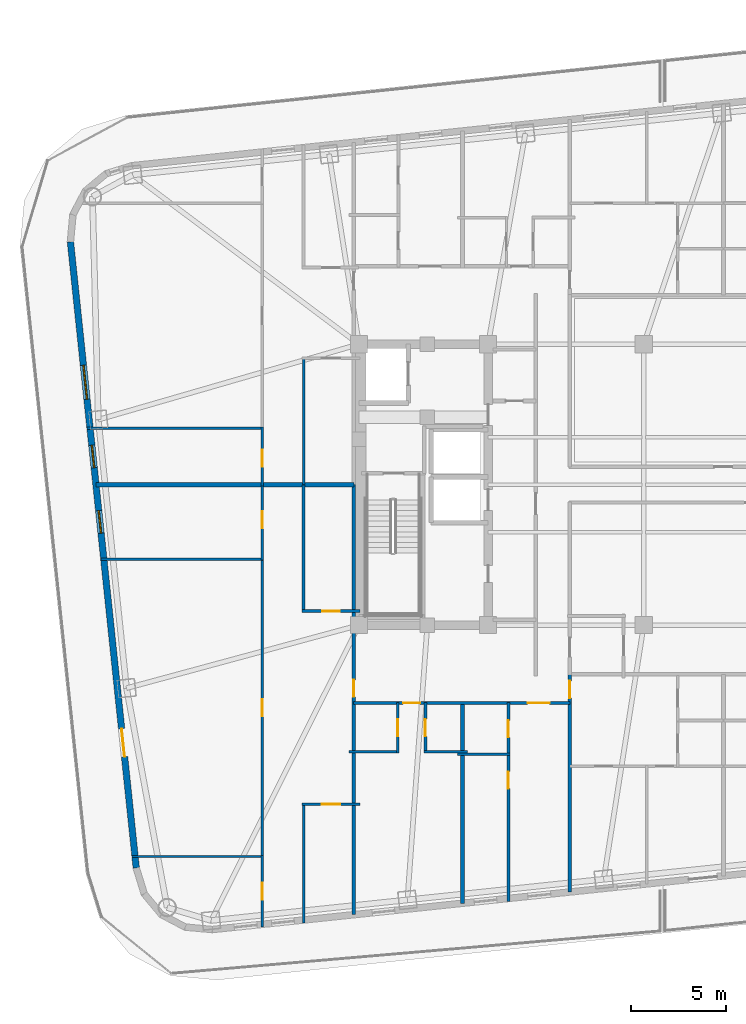
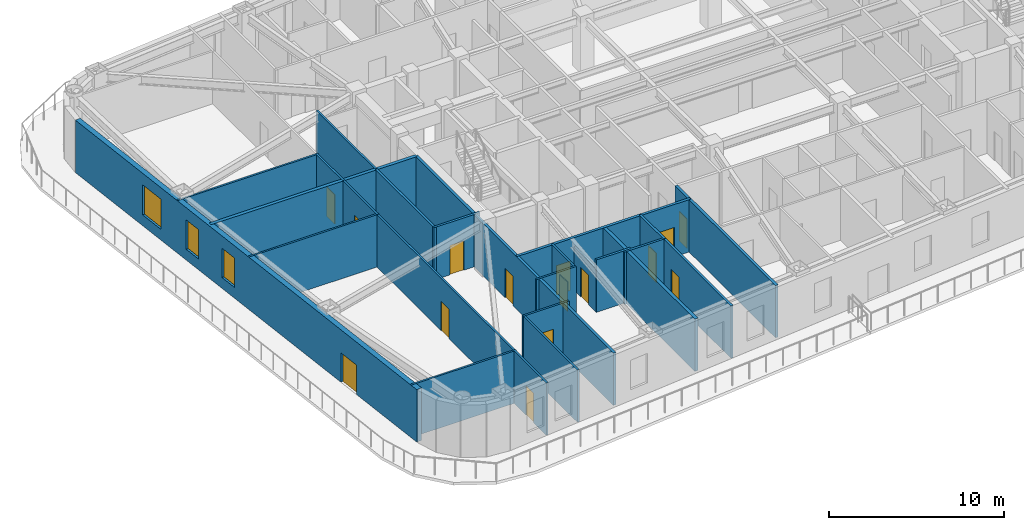
# One storey, part 3 of 15: 25 walls, 15 doors, 3 windows, 18 openings.
"""IFC4 building model written with IfcOpenShell, lengths in metres."""

from ifc_helpers import new_model, si_unit, direction, frame, frame_2d, origin, place, context, subcontext, project, spatial, rectangle, extrude, material, layer, layer_set, type_object, element, fill, save


model = new_model("IFC4")

# Units and contexts
model_context = context("Model", 3, precision=1e-05, world=origin(), true_north=direction((0.0, 1.0)))
body_context = subcontext(model_context, "Body", "Model", "MODEL_VIEW")
ifc_project = project(units=[si_unit("LENGTHUNIT", "METRE"), si_unit("AREAUNIT", "SQUARE_METRE"), si_unit("VOLUMEUNIT", "CUBIC_METRE"), si_unit("PLANEANGLEUNIT", "RADIAN"), si_unit("MASSUNIT", "GRAM", prefix="KILO")], contexts=[model_context])

# Site, building, storey
site_placement = place(None, origin())
site = spatial("IfcSite", under=ifc_project, at=site_placement, CompositionType="ELEMENT")
building_placement = place(site_placement, origin())
building = spatial("IfcBuilding", under=site, at=building_placement, Name="Voryun Gate Residences", CompositionType="ELEMENT")
storey_placement = place(building_placement, frame((0.0, 0.0, 171.60009765625)))
storey = spatial("IfcBuildingStorey", under=building, at=storey_placement, Name="L42", CompositionType="ELEMENT", Elevation=171.60009765625)

# Wall, openings, doors
ifc_material_1 = material(Name="Gypsum acoustic fireboard")
ifc_layer_1 = layer(ifc_material_1, 0.179931640625, Name="W_CORR_RATED_180")
ifc_layer_set_1 = layer_set([ifc_layer_1], Name="Gypsum acoustic fireboard")
wall_type_1 = type_object("IfcWallType", Name="W_CORR_RATED_180", PredefinedType="PARTITIONING", material=ifc_layer_set_1)
wall_1_placement = place(storey_placement, frame((-19.5, -11.5, 0.0), z_axis=(0.0, 0.0, 1.0), x_axis=(1.0, 0.0, 0.0)))
wall_1 = element("IfcWall", 1, at=wall_1_placement, inside=storey, type_object=wall_type_1, Name="Partition wall WP-L42-SCORR-W", PredefinedType="PARTITIONING", context=body_context, shape_type="SweptSolid", body=[
    extrude(rectangle(XDim=11.419921875, YDim=0.179931640625, at=frame_2d((5.7099609375, 0.0))), origin(), (0.0, 0.0, 1.0), 3.64990234375),
])
opening_1_placement = place(wall_1_placement, frame((2.623046875, 0.0, 0.0)))
opening_1 = element("IfcOpeningElement", 2, at=opening_1_placement, cuts=wall_1, Name="Opening D-INT-2", PredefinedType="OPENING", context=body_context, shape_type="SweptSolid", body=[
    extrude(rectangle(XDim=0.89990234375, YDim=2.050048828125, at=frame_2d((0.449951171875, 1.02490234375))), frame((0.0, 0.099853515625, 0.0), z_axis=(0.0, -1.0, 0.0), x_axis=(1.0, 0.0, 0.0)), (0.0, 0.0, 1.0), 0.199951171875),
])
opening_2_placement = place(wall_1_placement, frame((9.189208984375, 0.0, 0.0)))
opening_2 = element("IfcOpeningElement", 3, at=opening_2_placement, cuts=wall_1, Name="Opening D-UNIT-1", PredefinedType="OPENING", context=body_context, shape_type="SweptSolid", body=[
    extrude(rectangle(XDim=1.14990234375, YDim=2.050048828125, at=frame_2d((0.574951171875, 1.02490234375))), frame((0.0, 0.099853515625, 0.0), z_axis=(0.0, -1.0, 0.0), x_axis=(1.0, 0.0, 0.0)), (0.0, 0.0, 1.0), 0.199951171875),
])
ifc_material_2 = material(Name="Architectural oak veneer")
door_type_1 = type_object("IfcDoorType", Name="DR_INT_BATH_900", OperationType="NOTDEFINED", PredefinedType="DOOR", material=ifc_material_2)
door_1_placement = place(opening_1_placement, origin())
door_1 = element("IfcDoor", 4, at=door_1_placement, inside=storey, type_object=door_type_1, Name="Door DR-L42-SENT-1", OperationType="SINGLE_SWING_RIGHT", OverallHeight=2.050048828125, OverallWidth=0.89990234375, PredefinedType="DOOR", context=body_context, shape_type="SweptSolid", body=[
    extrude(rectangle(XDim=0.89990234375, YDim=2.050048828125, at=frame_2d((0.449951171875, 1.02490234375))), frame((0.0, 0.02490234375, 0.0), z_axis=(0.0, -1.0, 0.0), x_axis=(1.0, 0.0, 0.0)), (0.0, 0.0, 1.0), 0.050048828125),
])
fill(opening_1, door_1)
ifc_material_3 = material(Name="Armoured timber-clad fire door", Category="wood")
door_type_2 = type_object("IfcDoorType", Name="DR_UNIT_ENTRY_1150", OperationType="NOTDEFINED", PredefinedType="DOOR", material=ifc_material_3)
door_2_placement = place(opening_2_placement, origin())
door_2 = element("IfcDoor", 5, at=door_2_placement, inside=storey, type_object=door_type_2, Name="Door DR-L42-SENT-2", OperationType="SINGLE_SWING_LEFT", OverallHeight=2.050048828125, OverallWidth=1.14990234375, PredefinedType="DOOR", context=body_context, shape_type="SweptSolid", body=[
    extrude(rectangle(XDim=1.14990234375, YDim=2.050048828125, at=frame_2d((0.574951171875, 1.02490234375))), frame((0.0, 0.02490234375, 0.0), z_axis=(0.0, -1.0, 0.0), x_axis=(1.0, 0.0, 0.0)), (0.0, 0.0, 1.0), 0.050048828125),
])
fill(opening_2, door_2)

# Wall, opening, door
wall_2_placement = place(storey_placement, frame((-8.10009765625, -21.456298828125, 0.0), z_axis=(0.0, 0.0, 1.0), x_axis=(0.0, 1.0, 0.0)))
wall_2 = element("IfcWall", 6, at=wall_2_placement, inside=storey, type_object=wall_type_1, Name="Partition wall WP-L42-SZV-1", PredefinedType="PARTITIONING", context=body_context, shape_type="SweptSolid", body=[
    extrude(rectangle(XDim=11.46630859375, YDim=0.179931640625, at=frame_2d((5.733154296875, 0.0))), origin(), (0.0, 0.0, 1.0), 3.64990234375),
])
opening_3_placement = place(wall_2_placement, frame((10.216064453125, 0.0, 0.0)))
opening_3 = element("IfcOpeningElement", 7, at=opening_3_placement, cuts=wall_2, Name="Opening D-INT-2", PredefinedType="OPENING", context=body_context, shape_type="SweptSolid", body=[
    extrude(rectangle(XDim=0.89990234375, YDim=2.050048828125, at=frame_2d((0.449951171875, 1.02490234375))), frame((0.0, 0.099853515625, 0.0), z_axis=(0.0, -1.0, 0.0), x_axis=(1.0, 0.0, 0.0)), (0.0, 0.0, 1.0), 0.199951171875),
])
door_3_placement = place(opening_3_placement, origin())
door_3 = element("IfcDoor", 8, at=door_3_placement, inside=storey, type_object=door_type_1, Name="Door DR-L42-SZENT-1", OperationType="SINGLE_SWING_LEFT", OverallHeight=2.050048828125, OverallWidth=0.89990234375, PredefinedType="DOOR", context=body_context, shape_type="SweptSolid", body=[
    extrude(rectangle(XDim=0.89990234375, YDim=2.050048828125, at=frame_2d((0.449951171875, 1.02490234375))), frame((0.0, 0.02490234375, 0.0), z_axis=(0.0, -1.0, 0.0), x_axis=(1.0, 0.0, 0.0)), (0.0, 0.0, 1.0), 0.050048828125),
])
fill(opening_3, door_3)

wall_3_placement = place(storey_placement, frame((-19.469970703125, -22.651611328125, 0.0), z_axis=(0.0, 0.0, 1.0), x_axis=(0.0, 1.0, 0.0)))
wall_3 = element("IfcWall", 9, at=wall_3_placement, inside=storey, type_object=wall_type_1, Name="Partition wall WP-L42-WCOR1", PredefinedType="PARTITIONING", context=body_context, shape_type="SweptSolid", body=[
    extrude(rectangle(XDim=22.651611328125, YDim=0.179931640625, at=frame_2d((11.32568359375, 0.0))), origin(), (0.0, 0.0, 1.0), 3.64990234375),
])
opening_4_placement = place(wall_3_placement, frame((11.471435546875, 0.0, 0.0)))
opening_4 = element("IfcOpeningElement", 10, at=opening_4_placement, cuts=wall_3, Name="Opening D-INT-2", PredefinedType="OPENING", context=body_context, shape_type="SweptSolid", body=[
    extrude(rectangle(XDim=0.89990234375, YDim=2.050048828125, at=frame_2d((0.449951171875, 1.02490234375))), frame((0.0, 0.099853515625, 0.0), z_axis=(0.0, -1.0, 0.0), x_axis=(1.0, 0.0, 0.0)), (0.0, 0.0, 1.0), 0.199951171875),
])
door_4_placement = place(opening_4_placement, origin())
door_4 = element("IfcDoor", 11, at=door_4_placement, inside=storey, type_object=door_type_1, Name="Door DR-L42-WE1", OperationType="SINGLE_SWING_LEFT", OverallHeight=2.050048828125, OverallWidth=0.89990234375, PredefinedType="DOOR", context=body_context, shape_type="SweptSolid", body=[
    extrude(rectangle(XDim=0.89990234375, YDim=2.050048828125, at=frame_2d((0.449951171875, 1.02490234375))), frame((0.0, 0.02490234375, 0.0), z_axis=(0.0, -1.0, 0.0), x_axis=(1.0, 0.0, 0.0)), (0.0, 0.0, 1.0), 0.050048828125),
])
fill(opening_4, door_4)

# Wall, openings, door, windows
ifc_material_4 = material(Name="Charcoal terracotta masonry", Category="masonry")
ifc_layer_2 = layer(ifc_material_4, 0.340087890625, Name="W_EXT_TERRACOTTA_340")
ifc_layer_set_2 = layer_set([ifc_layer_2], Name="Charcoal terracotta masonry")
wall_type_2 = type_object("IfcWallType", Name="W_EXT_TERRACOTTA_340", PredefinedType="ELEMENTEDWALL", material=ifc_layer_set_2)
wall_4_placement = place(storey_placement, frame((-30.934326171875, -20.189697265625, 0.0), z_axis=(0.0, 0.0, 1.0), x_axis=(-0.10452691388, 0.994522058214, 0.0)))
wall_4 = element("IfcWall", 12, at=wall_4_placement, inside=storey, type_object=wall_type_2, Name="Exterior wall WEXT-L42-06", PredefinedType="ELEMENTEDWALL", context=body_context, shape_type="SweptSolid", body=[
    extrude(rectangle(XDim=33.16650390625, YDim=0.340087890625, at=frame_2d((16.583251953125, 0.0))), origin(), (0.0, 0.0, 1.0), 3.64990234375),
])
opening_5_placement = place(wall_4_placement, frame((5.883056640625, 0.0, 0.0)))
opening_5 = element("IfcOpeningElement", 13, at=opening_5_placement, cuts=wall_4, Name="Opening D-TER-1", PredefinedType="OPENING", context=body_context, shape_type="SweptSolid", body=[
    extrude(rectangle(XDim=1.5, YDim=2.050048828125, at=frame_2d((0.75, 1.02490234375))), frame((0.0, 0.179931640625, 0.0), z_axis=(0.0, -1.0, 0.0), x_axis=(1.0, 0.0, 0.0)), (0.0, 0.0, 1.0), 0.360107421875),
])
opening_6_placement = place(wall_4_placement, frame((24.824951171875, 0.0, 0.75)))
opening_6 = element("IfcOpeningElement", 14, at=opening_6_placement, cuts=wall_4, Name="Opening WN1", PredefinedType="OPENING", context=body_context, shape_type="SweptSolid", body=[
    extrude(rectangle(XDim=1.800048828125, YDim=2.10009765625, at=frame_2d((0.89990234375, 1.050048828125))), frame((0.0, 0.179931640625, 0.0), z_axis=(0.0, -1.0, 0.0), x_axis=(1.0, 0.0, 0.0)), (0.0, 0.0, 1.0), 0.360107421875),
])
opening_7_placement = place(wall_4_placement, frame((17.728759765625, 0.0, 0.75)))
opening_7 = element("IfcOpeningElement", 15, at=opening_7_placement, cuts=wall_4, Name="Opening WN6", PredefinedType="OPENING", context=body_context, shape_type="SweptSolid", body=[
    extrude(rectangle(XDim=1.199951171875, YDim=2.050048828125, at=frame_2d((0.60009765625, 1.02490234375))), frame((0.0, 0.179931640625, 0.0), z_axis=(0.0, -1.0, 0.0), x_axis=(1.0, 0.0, 0.0)), (0.0, 0.0, 1.0), 0.360107421875),
])
opening_8_placement = place(wall_4_placement, frame((21.1962890625, 0.0, 0.75)))
opening_8 = element("IfcOpeningElement", 16, at=opening_8_placement, cuts=wall_4, Name="Opening WN6", PredefinedType="OPENING", context=body_context, shape_type="SweptSolid", body=[
    extrude(rectangle(XDim=1.199951171875, YDim=2.050048828125, at=frame_2d((0.60009765625, 1.02490234375))), frame((0.0, 0.179931640625, 0.0), z_axis=(0.0, -1.0, 0.0), x_axis=(1.0, 0.0, 0.0)), (0.0, 0.0, 1.0), 0.360107421875),
])
ifc_material_5 = material(Name="Thermally broken aluminium and low-E glass", Category="aluminium")
door_type_3 = type_object("IfcDoorType", Name="DR_TERR_EXIT_1500", OperationType="NOTDEFINED", PredefinedType="DOOR", material=ifc_material_5)
door_5_placement = place(opening_5_placement, origin())
door_5 = element("IfcDoor", 17, at=door_5_placement, inside=storey, type_object=door_type_3, Name="Door DR-L42-OUT-01", OperationType="SLIDING_TO_RIGHT", OverallHeight=2.050048828125, OverallWidth=1.5, PredefinedType="DOOR", context=body_context, shape_type="SweptSolid", body=[
    extrude(rectangle(XDim=1.5, YDim=2.050048828125, at=frame_2d((0.75, 1.02490234375))), frame((0.0, 0.02490234375, 0.0), z_axis=(0.0, -1.0, 0.0), x_axis=(1.0, 0.0, 0.0)), (0.0, 0.0, 1.0), 0.050048828125),
])
fill(opening_5, door_5)
ifc_material_6 = material(Name="Laminated low-E glass", Category="glass")
window_type_1 = type_object("IfcWindowType", Name="WN_POD_SLOT_1200", PartitioningType="SINGLE_PANEL", PredefinedType="WINDOW", material=ifc_material_6)
window_1_placement = place(opening_7_placement, origin())
window_1 = element("IfcWindow", 18, at=window_1_placement, inside=storey, type_object=window_type_1, Name="Window WN-L42-DWFIX-21", OverallHeight=2.050048828125, OverallWidth=1.199951171875, PartitioningType="SINGLE_PANEL", PredefinedType="WINDOW", context=body_context, shape_type="SweptSolid", body=[
    extrude(rectangle(XDim=1.199951171875, YDim=2.050048828125, at=frame_2d((0.60009765625, 1.02490234375))), frame((0.0, 0.030029296875, 0.0), z_axis=(0.0, -1.0, 0.0), x_axis=(1.0, 0.0, 0.0)), (0.0, 0.0, 1.0), 0.06005859375),
])
fill(opening_7, window_1)
window_2_placement = place(opening_8_placement, origin())
window_2 = element("IfcWindow", 19, at=window_2_placement, inside=storey, type_object=window_type_1, Name="Window WN-L42-DWFIX-25", OverallHeight=2.050048828125, OverallWidth=1.199951171875, PartitioningType="SINGLE_PANEL", PredefinedType="WINDOW", context=body_context, shape_type="SweptSolid", body=[
    extrude(rectangle(XDim=1.199951171875, YDim=2.050048828125, at=frame_2d((0.60009765625, 1.02490234375))), frame((0.0, 0.030029296875, 0.0), z_axis=(0.0, -1.0, 0.0), x_axis=(1.0, 0.0, 0.0)), (0.0, 0.0, 1.0), 0.06005859375),
])
fill(opening_8, window_2)
ifc_material_7 = material(Name="Laminated low-E glass", Category="glass")
window_type_2 = type_object("IfcWindowType", Name="WN_RES_PUNCH_1800", PartitioningType="SINGLE_PANEL", PredefinedType="WINDOW", material=ifc_material_7)
window_3_placement = place(opening_6_placement, origin())
window_3 = element("IfcWindow", 20, at=window_3_placement, inside=storey, type_object=window_type_2, Name="Window WN-WEXT-L42-06-02", OverallHeight=2.10009765625, OverallWidth=1.800048828125, PartitioningType="SINGLE_PANEL", PredefinedType="WINDOW", context=body_context, shape_type="SweptSolid", body=[
    extrude(rectangle(XDim=1.800048828125, YDim=2.10009765625, at=frame_2d((0.89990234375, 1.050048828125))), frame((0.0, 0.030029296875, 0.0), z_axis=(0.0, -1.0, 0.0), x_axis=(1.0, 0.0, 0.0)), (0.0, 0.0, 1.0), 0.06005859375),
])
fill(opening_6, window_3)

# Walls
ifc_material_8 = material(Name="Concrete C40/50", Category="concrete")
ifc_layer_3 = layer(ifc_material_8, 0.219970703125, Name="W_PARTY_ACOUSTIC_220")
ifc_layer_set_3 = layer_set([ifc_layer_3], Name="Concrete C40/50")
wall_type_3 = type_object("IfcWallType", Name="W_PARTY_ACOUSTIC_220", PredefinedType="PARTITIONING", material=ifc_layer_set_3)
wall_5_placement = place(storey_placement, frame((-13.739990234375, -22.04931640625, 0.0), z_axis=(0.0, 0.0, 1.0), x_axis=(0.0, 1.0, 0.0)))
element("IfcWall", 21, at=wall_5_placement, inside=storey, type_object=wall_type_3, Name="Partition wall WP-L42-SPTY-1", PredefinedType="PARTITIONING", context=body_context, shape_type="SweptSolid", body=[
    extrude(rectangle(XDim=10.62939453125, YDim=0.219970703125, at=frame_2d((5.314697265625, 0.0))), origin(), (0.0, 0.0, 1.0), 3.64990234375),
])
wall_6_placement = place(storey_placement, frame((-19.469970703125, 0.0, 0.0), z_axis=(0.0, 0.0, 1.0), x_axis=(-1.0, 0.0, 0.0)))
element("IfcWall", 22, at=wall_6_placement, inside=storey, type_object=wall_type_3, Name="Partition wall WP-L42-WPTY", PredefinedType="PARTITIONING", context=body_context, shape_type="SweptSolid", body=[
    extrude(rectangle(XDim=13.58642578125, YDim=0.219970703125, at=frame_2d((6.793212890625, 0.0))), origin(), (0.0, 0.0, 1.0), 3.64990234375),
])

# Wall, opening, door
ifc_material_9 = material(Name="Gypsum acoustic partition")
ifc_layer_4 = layer(ifc_material_9, 0.125, Name="W_UNIT_PART_125")
ifc_layer_set_4 = layer_set([ifc_layer_4], Name="Gypsum acoustic partition")
wall_type_4 = type_object("IfcWallType", Name="W_UNIT_PART_125", PredefinedType="PARTITIONING", material=ifc_layer_set_4)
wall_7_placement = place(storey_placement, frame((-17.14990234375, -14.1298828125, 0.0), z_axis=(0.0, 0.0, 1.0), x_axis=(0.0, 1.0, 0.0)))
wall_7 = element("IfcWall", 23, at=wall_7_placement, inside=storey, type_object=wall_type_4, Name="Partition wall WP-L42-S1-CVK", PredefinedType="PARTITIONING", context=body_context, shape_type="SweptSolid", body=[
    extrude(rectangle(XDim=2.64990234375, YDim=0.125, at=frame_2d((1.324951171875, 0.0))), origin(), (0.0, 0.0, 1.0), 3.64990234375),
])
opening_9_placement = place(wall_7_placement, frame((0.875, 0.0, 0.0)))
opening_9 = element("IfcOpeningElement", 24, at=opening_9_placement, cuts=wall_7, Name="Opening D-INT-2", PredefinedType="OPENING", context=body_context, shape_type="SweptSolid", body=[
    extrude(rectangle(XDim=0.89990234375, YDim=2.050048828125, at=frame_2d((0.449951171875, 1.02490234375))), frame((0.0, 0.072509765625, 0.0), z_axis=(0.0, -1.0, 0.0), x_axis=(1.0, 0.0, 0.0)), (0.0, 0.0, 1.0), 0.14501953125),
])
door_6_placement = place(opening_9_placement, origin())
door_6 = element("IfcDoor", 25, at=door_6_placement, inside=storey, type_object=door_type_1, Name="Door DR-L42-S1-DK", OperationType="SINGLE_SWING_LEFT", OverallHeight=2.050048828125, OverallWidth=0.89990234375, PredefinedType="DOOR", context=body_context, shape_type="SweptSolid", body=[
    extrude(rectangle(XDim=0.89990234375, YDim=2.050048828125, at=frame_2d((0.449951171875, 1.02490234375))), frame((0.0, 0.02490234375, 0.0), z_axis=(0.0, -1.0, 0.0), x_axis=(1.0, 0.0, 0.0)), (0.0, 0.0, 1.0), 0.050048828125),
])
fill(opening_9, door_6)

# Walls
wall_8_placement = place(storey_placement, frame((-19.719970703125, -14.070068359375, 0.0), z_axis=(0.0, 0.0, 1.0), x_axis=(1.0, 0.0, 0.0)))
element("IfcWall", 26, at=wall_8_placement, inside=storey, type_object=wall_type_4, Name="Partition wall WP-L42-S1-CHK", PredefinedType="PARTITIONING", context=body_context, shape_type="SweptSolid", body=[
    extrude(rectangle(XDim=2.6298828125, YDim=0.125, at=frame_2d((1.31494140625, 0.0))), origin(), (0.0, 0.0, 1.0), 3.64990234375),
])
wall_9_placement = place(storey_placement, frame((-31.148681640625, -19.583984375, 0.0), z_axis=(0.0, 0.0, 1.0), x_axis=(1.0, 0.0, 0.0)))
element("IfcWall", 27, at=wall_9_placement, inside=storey, type_object=wall_type_4, Name="Partition wall WP-L42-W1-OH1", PredefinedType="PARTITIONING", context=body_context, shape_type="SweptSolid", body=[
    extrude(rectangle(XDim=6.9287109375, YDim=0.125, at=frame_2d((3.46435546875, 0.0))), origin(), (0.0, 0.0, 1.0), 3.64990234375),
])
wall_10_placement = place(storey_placement, frame((-32.79541015625, -3.91796875, 0.0), z_axis=(0.0, 0.0, 1.0), x_axis=(1.0, 0.0, 0.0)))
element("IfcWall", 28, at=wall_10_placement, inside=storey, type_object=wall_type_4, Name="Partition wall WP-L42-W1-OH2", PredefinedType="PARTITIONING", context=body_context, shape_type="SweptSolid", body=[
    extrude(rectangle(XDim=8.575439453125, YDim=0.125, at=frame_2d((4.28759765625, 0.0))), origin(), (0.0, 0.0, 1.0), 3.64990234375),
])

# Wall, opening, door
wall_11_placement = place(storey_placement, frame((-24.300048828125, -23.31005859375, 0.0), z_axis=(0.0, 0.0, 1.0), x_axis=(0.0, 1.0, 0.0)))
wall_11 = element("IfcWall", 29, at=wall_11_placement, inside=storey, type_object=wall_type_4, Name="Partition wall WP-L42-W1-OVX1", PredefinedType="PARTITIONING", context=body_context, shape_type="SweptSolid", body=[
    extrude(rectangle(XDim=3.776123046875, YDim=0.125, at=frame_2d((1.88818359375, 0.0))), origin(), (0.0, 0.0, 1.0), 3.64990234375),
])
opening_10_placement = place(wall_11_placement, frame((1.43798828125, 0.0, 0.0)))
opening_10 = element("IfcOpeningElement", 30, at=opening_10_placement, cuts=wall_11, Name="Opening D-INT-2", PredefinedType="OPENING", context=body_context, shape_type="SweptSolid", body=[
    extrude(rectangle(XDim=0.89990234375, YDim=2.050048828125, at=frame_2d((0.449951171875, 1.02490234375))), frame((0.0, 0.072509765625, 0.0), z_axis=(0.0, -1.0, 0.0), x_axis=(1.0, 0.0, 0.0)), (0.0, 0.0, 1.0), 0.14501953125),
])
door_7_placement = place(opening_10_placement, origin())
door_7 = element("IfcDoor", 31, at=door_7_placement, inside=storey, type_object=door_type_1, Name="Door DR-L42-W1-DBD2", OperationType="SINGLE_SWING_LEFT", OverallHeight=2.050048828125, OverallWidth=0.89990234375, PredefinedType="DOOR", context=body_context, shape_type="SweptSolid", body=[
    extrude(rectangle(XDim=0.89990234375, YDim=2.050048828125, at=frame_2d((0.449951171875, 1.02490234375))), frame((0.0, 0.02490234375, 0.0), z_axis=(0.0, -1.0, 0.0), x_axis=(1.0, 0.0, 0.0)), (0.0, 0.0, 1.0), 0.050048828125),
])
fill(opening_10, door_7)

wall_12_placement = place(storey_placement, frame((-24.300048828125, -19.634033203125, 0.0), z_axis=(0.0, 0.0, 1.0), x_axis=(0.0, 1.0, 0.0)))
wall_12 = element("IfcWall", 32, at=wall_12_placement, inside=storey, type_object=wall_type_4, Name="Partition wall WP-L42-W1-OVX2", PredefinedType="PARTITIONING", context=body_context, shape_type="SweptSolid", body=[
    extrude(rectangle(XDim=15.76611328125, YDim=0.125, at=frame_2d((7.883056640625, 0.0))), origin(), (0.0, 0.0, 1.0), 3.64990234375),
])
opening_11_placement = place(wall_12_placement, frame((7.43310546875, 0.0, 0.0)))
opening_11 = element("IfcOpeningElement", 33, at=opening_11_placement, cuts=wall_12, Name="Opening D-INT-2", PredefinedType="OPENING", context=body_context, shape_type="SweptSolid", body=[
    extrude(rectangle(XDim=0.89990234375, YDim=2.050048828125, at=frame_2d((0.449951171875, 1.02490234375))), frame((0.0, 0.072509765625, 0.0), z_axis=(0.0, -1.0, 0.0), x_axis=(1.0, 0.0, 0.0)), (0.0, 0.0, 1.0), 0.14501953125),
])
door_8_placement = place(opening_11_placement, origin())
door_8 = element("IfcDoor", 34, at=door_8_placement, inside=storey, type_object=door_type_1, Name="Door DR-L42-W1-DSTD", OperationType="SINGLE_SWING_RIGHT", OverallHeight=2.050048828125, OverallWidth=0.89990234375, PredefinedType="DOOR", context=body_context, shape_type="SweptSolid", body=[
    extrude(rectangle(XDim=0.89990234375, YDim=2.050048828125, at=frame_2d((0.449951171875, 1.02490234375))), frame((0.0, 0.02490234375, 0.0), z_axis=(0.0, -1.0, 0.0), x_axis=(1.0, 0.0, 0.0)), (0.0, 0.0, 1.0), 0.050048828125),
])
fill(opening_11, door_8)

wall_13_placement = place(storey_placement, frame((-24.300048828125, -3.968017578125, 0.0), z_axis=(0.0, 0.0, 1.0), x_axis=(0.0, 1.0, 0.0)))
wall_13 = element("IfcWall", 35, at=wall_13_placement, inside=storey, type_object=wall_type_4, Name="Partition wall WP-L42-W1-OVX3", PredefinedType="PARTITIONING", context=body_context, shape_type="SweptSolid", body=[
    extrude(rectangle(XDim=4.030517578125, YDim=0.125, at=frame_2d((2.01513671875, 0.0))), origin(), (0.0, 0.0, 1.0), 3.64990234375),
])
opening_12_placement = place(wall_13_placement, frame((1.6640625, 0.0, 0.0)))
opening_12 = element("IfcOpeningElement", 36, at=opening_12_placement, cuts=wall_13, Name="Opening D-INT-2", PredefinedType="OPENING", context=body_context, shape_type="SweptSolid", body=[
    extrude(rectangle(XDim=0.89990234375, YDim=2.050048828125, at=frame_2d((0.449951171875, 1.02490234375))), frame((0.0, 0.072509765625, 0.0), z_axis=(0.0, -1.0, 0.0), x_axis=(1.0, 0.0, 0.0)), (0.0, 0.0, 1.0), 0.14501953125),
])
door_9_placement = place(opening_12_placement, origin())
door_9 = element("IfcDoor", 37, at=door_9_placement, inside=storey, type_object=door_type_1, Name="Door DR-L42-W1-DMB", OperationType="SINGLE_SWING_LEFT", OverallHeight=2.050048828125, OverallWidth=0.89990234375, PredefinedType="DOOR", context=body_context, shape_type="SweptSolid", body=[
    extrude(rectangle(XDim=0.89990234375, YDim=2.050048828125, at=frame_2d((0.449951171875, 1.02490234375))), frame((0.0, 0.02490234375, 0.0), z_axis=(0.0, -1.0, 0.0), x_axis=(1.0, 0.0, 0.0)), (0.0, 0.0, 1.0), 0.050048828125),
])
fill(opening_12, door_9)

wall_14_placement = place(storey_placement, frame((-22.199951171875, -16.842041015625, 0.0), z_axis=(0.0, 0.0, 1.0), x_axis=(1.0, 0.0, 0.0)))
wall_14 = element("IfcWall", 38, at=wall_14_placement, inside=storey, type_object=wall_type_4, Name="Partition wall WP-L42-W1-IKA", PredefinedType="PARTITIONING", context=body_context, shape_type="SweptSolid", body=[
    extrude(rectangle(XDim=3.050048828125, YDim=0.125, at=frame_2d((1.52490234375, 0.0))), origin(), (0.0, 0.0, 1.0), 3.64990234375),
])
opening_13_placement = place(wall_14_placement, frame((1.050048828125, 0.0, 0.0)))
opening_13 = element("IfcOpeningElement", 39, at=opening_13_placement, cuts=wall_14, Name="Opening D-INT-1", PredefinedType="OPENING", context=body_context, shape_type="SweptSolid", body=[
    extrude(rectangle(XDim=0.949951171875, YDim=2.050048828125, at=frame_2d((0.47509765625, 1.02490234375))), frame((0.0, 0.072509765625, 0.0), z_axis=(0.0, -1.0, 0.0), x_axis=(1.0, 0.0, 0.0)), (0.0, 0.0, 1.0), 0.14501953125),
])
ifc_material_10 = material(Name="Architectural oak veneer")
door_type_4 = type_object("IfcDoorType", Name="DR_INT_ROOM_950", OperationType="NOTDEFINED", PredefinedType="DOOR", material=ifc_material_10)
door_10_placement = place(opening_13_placement, origin())
door_10 = element("IfcDoor", 40, at=door_10_placement, inside=storey, type_object=door_type_4, Name="Door DR-L42-W1-DK", OperationType="SINGLE_SWING_LEFT", OverallHeight=2.050048828125, OverallWidth=0.949951171875, PredefinedType="DOOR", context=body_context, shape_type="SweptSolid", body=[
    extrude(rectangle(XDim=0.949951171875, YDim=2.050048828125, at=frame_2d((0.47509765625, 1.02490234375))), frame((0.0, 0.02490234375, 0.0), z_axis=(0.0, -1.0, 0.0), x_axis=(1.0, 0.0, 0.0)), (0.0, 0.0, 1.0), 0.050048828125),
])
fill(opening_13, door_10)

# Walls
wall_15_placement = place(storey_placement, frame((-22.1201171875, -23.080810546875, 0.0), z_axis=(0.0, 0.0, 1.0), x_axis=(0.0, 1.0, 0.0)))
element("IfcWall", 41, at=wall_15_placement, inside=storey, type_object=wall_type_4, Name="Partition wall WP-L42-W1-VTA", PredefinedType="PARTITIONING", context=body_context, shape_type="SweptSolid", body=[
    extrude(rectangle(XDim=6.31884765625, YDim=0.125, at=frame_2d((3.159423828125, 0.0))), origin(), (0.0, 0.0, 1.0), 3.64990234375),
])
wall_16_placement = place(storey_placement, frame((-33.520263671875, 2.97900390625, 0.0), z_axis=(0.0, 0.0, 1.0), x_axis=(1.0, 0.0, 0.0)))
element("IfcWall", 42, at=wall_16_placement, inside=storey, type_object=wall_type_4, Name="Partition wall WP-L42-W2-OH1", PredefinedType="PARTITIONING", context=body_context, shape_type="SweptSolid", body=[
    extrude(rectangle(XDim=9.30029296875, YDim=0.125, at=frame_2d((4.650146484375, 0.0))), origin(), (0.0, 0.0, 1.0), 3.64990234375),
])

# Wall, opening, door
wall_17_placement = place(storey_placement, frame((-24.300048828125, -0.0625, 0.0), z_axis=(0.0, 0.0, 1.0), x_axis=(0.0, 1.0, 0.0)))
wall_17 = element("IfcWall", 43, at=wall_17_placement, inside=storey, type_object=wall_type_4, Name="Partition wall WP-L42-W2-OVX1", PredefinedType="PARTITIONING", context=body_context, shape_type="SweptSolid", body=[
    extrude(rectangle(XDim=3.091552734375, YDim=0.125, at=frame_2d((1.5458984375, 0.0))), origin(), (0.0, 0.0, 1.0), 3.64990234375),
])
opening_14_placement = place(wall_17_placement, frame((0.9970703125, 0.0, 0.0)))
opening_14 = element("IfcOpeningElement", 44, at=opening_14_placement, cuts=wall_17, Name="Opening D-INT-2", PredefinedType="OPENING", context=body_context, shape_type="SweptSolid", body=[
    extrude(rectangle(XDim=0.89990234375, YDim=2.050048828125, at=frame_2d((0.449951171875, 1.02490234375))), frame((0.0, 0.072509765625, 0.0), z_axis=(0.0, -1.0, 0.0), x_axis=(1.0, 0.0, 0.0)), (0.0, 0.0, 1.0), 0.14501953125),
])
door_11_placement = place(opening_14_placement, origin())
door_11 = element("IfcDoor", 45, at=door_11_placement, inside=storey, type_object=door_type_1, Name="Door DR-L42-W2-DBD2", OperationType="SINGLE_SWING_LEFT", OverallHeight=2.050048828125, OverallWidth=0.89990234375, PredefinedType="DOOR", context=body_context, shape_type="SweptSolid", body=[
    extrude(rectangle(XDim=0.89990234375, YDim=2.050048828125, at=frame_2d((0.449951171875, 1.02490234375))), frame((0.0, 0.02490234375, 0.0), z_axis=(0.0, -1.0, 0.0), x_axis=(1.0, 0.0, 0.0)), (0.0, 0.0, 1.0), 0.050048828125),
])
fill(opening_14, door_11)

# Wall
wall_18_placement = place(storey_placement, frame((-22.1201171875, 0.02001953125, 0.0), z_axis=(0.0, 0.0, 1.0), x_axis=(0.0, 1.0, 0.0)))
element("IfcWall", 46, at=wall_18_placement, inside=storey, type_object=wall_type_4, Name="Partition wall WP-L42-W2-VTA", PredefinedType="PARTITIONING", context=body_context, shape_type="SweptSolid", body=[
    extrude(rectangle(XDim=6.719970703125, YDim=0.125, at=frame_2d((3.35986328125, 0.0))), origin(), (0.0, 0.0, 1.0), 3.64990234375),
])

# Wall, opening, door
ifc_material_11 = material(Name="Gypsum moisture-resistant partition")
ifc_layer_5 = layer(ifc_material_11, 0.14990234375, Name="W_WET_PLUMB_150")
ifc_layer_set_5 = layer_set([ifc_layer_5], Name="Gypsum moisture-resistant partition")
wall_type_5 = type_object("IfcWallType", Name="W_WET_PLUMB_150", PredefinedType="PLUMBINGWALL", material=ifc_layer_set_5)
wall_19_placement = place(storey_placement, frame((-15.7041015625, -14.1298828125, 0.0), z_axis=(0.0, 0.0, 1.0), x_axis=(0.0, 1.0, 0.0)))
wall_19 = element("IfcWall", 47, at=wall_19_placement, inside=storey, type_object=wall_type_5, Name="Partition wall WP-L42-S1-CVB", PredefinedType="PLUMBINGWALL", context=body_context, shape_type="SweptSolid", body=[
    extrude(rectangle(XDim=2.64990234375, YDim=0.14990234375, at=frame_2d((1.324951171875, 0.0))), origin(), (0.0, 0.0, 1.0), 3.039794921875),
])
opening_15_placement = place(wall_19_placement, frame((0.875, 0.0, 0.0)))
opening_15 = element("IfcOpeningElement", 48, at=opening_15_placement, cuts=wall_19, Name="Opening D-INT-2", PredefinedType="OPENING", context=body_context, shape_type="SweptSolid", body=[
    extrude(rectangle(XDim=0.89990234375, YDim=2.050048828125, at=frame_2d((0.449951171875, 1.02490234375))), frame((0.0, 0.0849609375, 0.0), z_axis=(0.0, -1.0, 0.0), x_axis=(1.0, 0.0, 0.0)), (0.0, 0.0, 1.0), 0.169921875),
])
door_12_placement = place(opening_15_placement, origin())
door_12 = element("IfcDoor", 49, at=door_12_placement, inside=storey, type_object=door_type_1, Name="Door DR-L42-S1-DB", OperationType="SINGLE_SWING_RIGHT", OverallHeight=2.050048828125, OverallWidth=0.89990234375, PredefinedType="DOOR", context=body_context, shape_type="SweptSolid", body=[
    extrude(rectangle(XDim=0.89990234375, YDim=2.050048828125, at=frame_2d((0.449951171875, 1.02490234375))), frame((0.0, 0.02490234375, 0.0), z_axis=(0.0, -1.0, 0.0), x_axis=(1.0, 0.0, 0.0)), (0.0, 0.0, 1.0), 0.050048828125),
])
fill(opening_15, door_12)

# Walls
wall_20_placement = place(storey_placement, frame((-15.763916015625, -14.070068359375, 0.0), z_axis=(0.0, 0.0, 1.0), x_axis=(1.0, 0.0, 0.0)))
element("IfcWall", 50, at=wall_20_placement, inside=storey, type_object=wall_type_5, Name="Partition wall WP-L42-S1-CHB", PredefinedType="PLUMBINGWALL", context=body_context, shape_type="SweptSolid", body=[
    extrude(rectangle(XDim=2.283935546875, YDim=0.14990234375, at=frame_2d((1.14208984375, 0.0))), origin(), (0.0, 0.0, 1.0), 3.64990234375),
])
wall_21_placement = place(storey_placement, frame((-14.0, -14.199951171875, 0.0), z_axis=(0.0, 0.0, 1.0), x_axis=(1.0, 0.0, 0.0)))
element("IfcWall", 51, at=wall_21_placement, inside=storey, type_object=wall_type_5, Name="Partition wall WP-L42-S2-SKB", PredefinedType="PLUMBINGWALL", context=body_context, shape_type="SweptSolid", body=[
    extrude(rectangle(XDim=2.7490234375, YDim=0.14990234375, at=frame_2d((1.37451171875, 0.0))), origin(), (0.0, 0.0, 1.0), 3.64990234375),
])

# Wall, opening, door
wall_22_placement = place(storey_placement, frame((-11.3310546875, -21.947021484375, 0.0), z_axis=(0.0, 0.0, 1.0), x_axis=(0.0, 1.0, 0.0)))
wall_22 = element("IfcWall", 52, at=wall_22_placement, inside=storey, type_object=wall_type_5, Name="Partition wall WP-L42-S2-SVT1", PredefinedType="PLUMBINGWALL", context=body_context, shape_type="SweptSolid", body=[
    extrude(rectangle(XDim=7.787109375, YDim=0.14990234375, at=frame_2d((3.8935546875, 0.0))), origin(), (0.0, 0.0, 1.0), 3.64990234375),
])
opening_16_placement = place(wall_22_placement, frame((5.935302734375, 0.0, 0.0)))
opening_16 = element("IfcOpeningElement", 53, at=opening_16_placement, cuts=wall_22, Name="Opening D-INT-2", PredefinedType="OPENING", context=body_context, shape_type="SweptSolid", body=[
    extrude(rectangle(XDim=0.89990234375, YDim=2.050048828125, at=frame_2d((0.449951171875, 1.02490234375))), frame((0.0, 0.0849609375, 0.0), z_axis=(0.0, -1.0, 0.0), x_axis=(1.0, 0.0, 0.0)), (0.0, 0.0, 1.0), 0.169921875),
])
door_13_placement = place(opening_16_placement, origin())
door_13 = element("IfcDoor", 54, at=door_13_placement, inside=storey, type_object=door_type_1, Name="Door DR-L42-S2-DK", OperationType="SINGLE_SWING_LEFT", OverallHeight=2.050048828125, OverallWidth=0.89990234375, PredefinedType="DOOR", context=body_context, shape_type="SweptSolid", body=[
    extrude(rectangle(XDim=0.89990234375, YDim=2.050048828125, at=frame_2d((0.449951171875, 1.02490234375))), frame((0.0, 0.02490234375, 0.0), z_axis=(0.0, -1.0, 0.0), x_axis=(1.0, 0.0, 0.0)), (0.0, 0.0, 1.0), 0.050048828125),
])
fill(opening_16, door_13)

wall_23_placement = place(storey_placement, frame((-11.3310546875, -14.239990234375, 0.0), z_axis=(0.0, 0.0, 1.0), x_axis=(0.0, 1.0, 0.0)))
wall_23 = element("IfcWall", 55, at=wall_23_placement, inside=storey, type_object=wall_type_5, Name="Partition wall WP-L42-S2-SVT2", PredefinedType="PLUMBINGWALL", context=body_context, shape_type="SweptSolid", body=[
    extrude(rectangle(XDim=2.760009765625, YDim=0.14990234375, at=frame_2d((1.3798828125, 0.0))), origin(), (0.0, 0.0, 1.0), 3.64990234375),
])
opening_17_placement = place(wall_23_placement, frame((0.929931640625, 0.0, 0.0)))
opening_17 = element("IfcOpeningElement", 56, at=opening_17_placement, cuts=wall_23, Name="Opening D-INT-2", PredefinedType="OPENING", context=body_context, shape_type="SweptSolid", body=[
    extrude(rectangle(XDim=0.89990234375, YDim=2.050048828125, at=frame_2d((0.449951171875, 1.02490234375))), frame((0.0, 0.0849609375, 0.0), z_axis=(0.0, -1.0, 0.0), x_axis=(1.0, 0.0, 0.0)), (0.0, 0.0, 1.0), 0.169921875),
])
door_14_placement = place(opening_17_placement, origin())
door_14 = element("IfcDoor", 57, at=door_14_placement, inside=storey, type_object=door_type_1, Name="Door DR-L42-S2-DB", OperationType="SINGLE_SWING_RIGHT", OverallHeight=2.050048828125, OverallWidth=0.89990234375, PredefinedType="DOOR", context=body_context, shape_type="SweptSolid", body=[
    extrude(rectangle(XDim=0.89990234375, YDim=2.050048828125, at=frame_2d((0.449951171875, 1.02490234375))), frame((0.0, 0.02490234375, 0.0), z_axis=(0.0, -1.0, 0.0), x_axis=(1.0, 0.0, 0.0)), (0.0, 0.0, 1.0), 0.050048828125),
])
fill(opening_17, door_14)

wall_24_placement = place(storey_placement, frame((-22.199951171875, -6.659912109375, 0.0), z_axis=(0.0, 0.0, 1.0), x_axis=(1.0, 0.0, 0.0)))
wall_24 = element("IfcWall", 58, at=wall_24_placement, inside=storey, type_object=wall_type_5, Name="Partition wall WP-L42-W1-IBB", PredefinedType="PLUMBINGWALL", context=body_context, shape_type="SweptSolid", body=[
    extrude(rectangle(XDim=3.050048828125, YDim=0.14990234375, at=frame_2d((1.52490234375, 0.0))), origin(), (0.0, 0.0, 1.0), 3.64990234375),
])
opening_18_placement = place(wall_24_placement, frame((1.074951171875, 0.0, 0.0)))
opening_18 = element("IfcOpeningElement", 59, at=opening_18_placement, cuts=wall_24, Name="Opening D-INT-2", PredefinedType="OPENING", context=body_context, shape_type="SweptSolid", body=[
    extrude(rectangle(XDim=0.89990234375, YDim=2.050048828125, at=frame_2d((0.449951171875, 1.02490234375))), frame((0.0, 0.0849609375, 0.0), z_axis=(0.0, -1.0, 0.0), x_axis=(1.0, 0.0, 0.0)), (0.0, 0.0, 1.0), 0.169921875),
])
door_15_placement = place(opening_18_placement, origin())
door_15 = element("IfcDoor", 60, at=door_15_placement, inside=storey, type_object=door_type_1, Name="Door DR-L42-W1-DB", OperationType="SINGLE_SWING_RIGHT", OverallHeight=2.050048828125, OverallWidth=0.89990234375, PredefinedType="DOOR", context=body_context, shape_type="SweptSolid", body=[
    extrude(rectangle(XDim=0.89990234375, YDim=2.050048828125, at=frame_2d((0.449951171875, 1.02490234375))), frame((0.0, 0.02490234375, 0.0), z_axis=(0.0, -1.0, 0.0), x_axis=(1.0, 0.0, 0.0)), (0.0, 0.0, 1.0), 0.050048828125),
])
fill(opening_18, door_15)

# Wall
wall_25_placement = place(storey_placement, frame((-22.1201171875, -6.739990234375, 0.0), z_axis=(0.0, 0.0, 1.0), x_axis=(0.0, 1.0, 0.0)))
element("IfcWall", 61, at=wall_25_placement, inside=storey, type_object=wall_type_5, Name="Partition wall WP-L42-W1-VTB", PredefinedType="PLUMBINGWALL", context=body_context, shape_type="SweptSolid", body=[
    extrude(rectangle(XDim=6.719970703125, YDim=0.14990234375, at=frame_2d((3.35986328125, 0.0))), origin(), (0.0, 0.0, 1.0), 3.64990234375),
])

save(model, "model.ifc")
